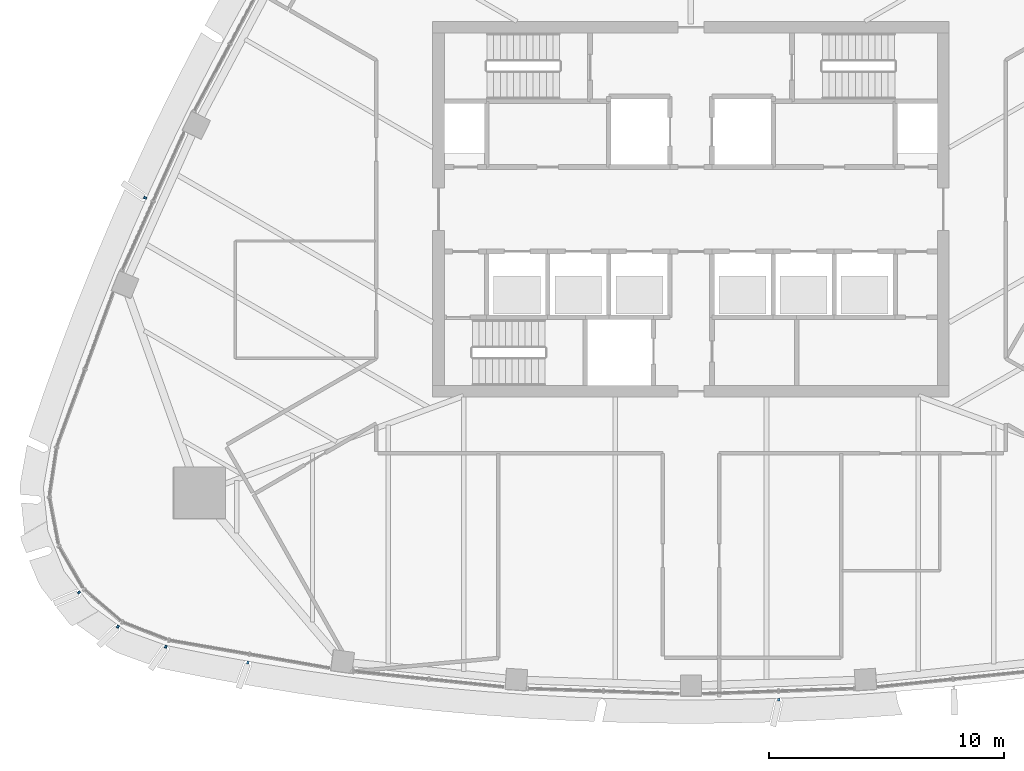
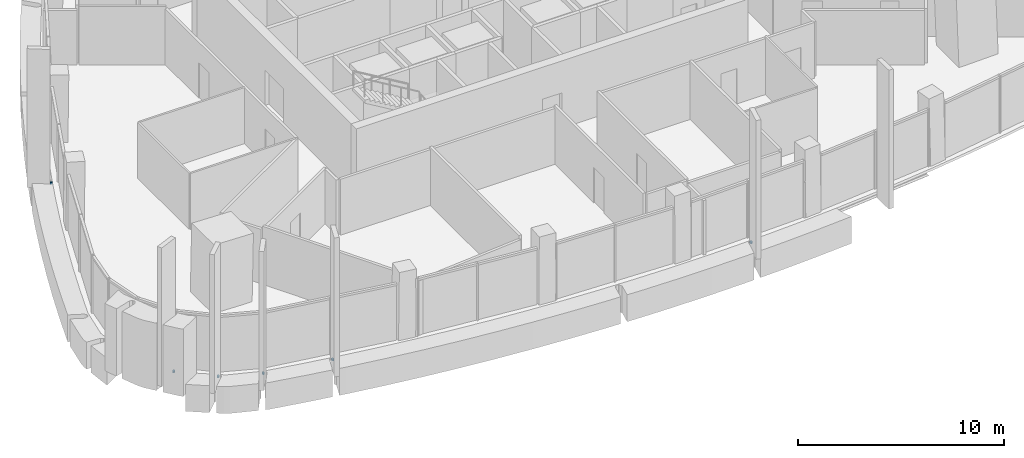
# One storey, part 12 of 18: 6 discrete accessories.
"""IFC4 building model written with IfcOpenShell, lengths in metres."""

import ifcopenshell
import ifcopenshell.guid

model = None  # the IFC model being written
_history = None  # IfcOwnerHistory: only IFC2X3 demands one
_inside = {}  # id of a spatial element -> (the spatial element, [elements in it])
_under = {}  # id of a project, library or spatial element -> (it, [spatial elements below it])
_declared = {}  # id of a project -> (the project, [libraries it declares])
_typed = {}  # id of a type object -> (the type object, [elements of that type])
_made_of = {}  # id of a material, layer set ... -> (it, [elements and type objects made of it])


def new_model(schema):
    """Start an empty IFC model of exactly this schema.

    Asked for "IFC4X3", IfcOpenShell would pick the latest addendum, in which some entities
    have other attributes; the version numbers below select the first issue.
    IFC2X3 requires an IfcOwnerHistory on every rooted entity: one is made here for all.
    """
    global model, _history
    if schema == "IFC4X3":
        model = ifcopenshell.file(schema_version=(4, 3, 0, 0))
    else:
        model = ifcopenshell.file(schema=schema)
    _inside.clear()
    _under.clear()
    _declared.clear()
    _typed.clear()
    _made_of.clear()
    _history = None
    if model.schema == "IFC2X3":
        org = make("IfcOrganization", Name="unknown")
        user = make(
            "IfcPersonAndOrganization",
            ThePerson=make("IfcPerson", FamilyName="unknown"),
            TheOrganization=org,
        )
        app = make(
            "IfcApplication",
            ApplicationDeveloper=org,
            Version="unknown",
            ApplicationFullName="unknown",
            ApplicationIdentifier="unknown",
        )
        _history = make(
            "IfcOwnerHistory",
            OwningUser=user,
            OwningApplication=app,
            ChangeAction="ADDED",
            CreationDate=0,
        )
    return model


def make(cls, **values):
    """One entity of the class cls with the attributes given. An attribute that is None is left unset."""
    return model.create_entity(
        cls, **{name: value for name, value in values.items() if value is not None}
    )


def rooted(cls, **values):
    """An entity with a GlobalId (a new one), such as an element, a storey or a relation."""
    return make(cls, GlobalId=ifcopenshell.guid.new(), OwnerHistory=_history, **values)


def si_unit(unit_type, name, prefix=None):
    """IfcSIUnit, for example si_unit("LENGTHUNIT", "METRE", prefix="MILLI")."""
    return make("IfcSIUnit", UnitType=unit_type, Prefix=prefix, Name=name)


def assignment(units):
    """IfcUnitAssignment: the units of a project."""
    return None if units is None else make("IfcUnitAssignment", Units=units)


def point(xyz):
    """IfcCartesianPoint."""
    return None if xyz is None else make("IfcCartesianPoint", Coordinates=xyz)


def direction(xyz):
    """IfcDirection."""
    return None if xyz is None else make("IfcDirection", DirectionRatios=xyz)


def frame(location, z_axis=None, x_axis=None):
    """IfcAxis2Placement3D, a coordinate frame: its origin and axes. An axis left out is left unset."""
    return make(
        "IfcAxis2Placement3D",
        Location=point(location),
        Axis=direction(z_axis),
        RefDirection=direction(x_axis),
    )


def frame_2d(location, x_axis=None):
    """IfcAxis2Placement2D, a coordinate frame in the plane: its origin and x axis."""
    return make(
        "IfcAxis2Placement2D", Location=point(location), RefDirection=direction(x_axis)
    )


def origin():
    """The frame at (0, 0, 0) with its axes left unset."""
    return frame((0.0, 0.0, 0.0))


def origin_2d():
    """The frame at (0, 0) in the plane with its x axis left unset."""
    return frame_2d((0.0, 0.0))


def place(relative_to, where):
    """IfcLocalPlacement: puts the frame where relative to a parent placement (None: the world)."""
    return make(
        "IfcLocalPlacement", PlacementRelTo=relative_to, RelativePlacement=where
    )


def context(
    kind, dimensions, precision=None, world=None, true_north=None, identifier=None
):
    """IfcGeometricRepresentationContext, for example the 3D "Model" context."""
    return make(
        "IfcGeometricRepresentationContext",
        ContextIdentifier=identifier,
        ContextType=kind,
        CoordinateSpaceDimension=dimensions,
        Precision=precision,
        WorldCoordinateSystem=world,
        TrueNorth=true_north,
    )


def subcontext(parent, identifier, kind, view, scale=None):
    """IfcGeometricRepresentationSubContext, for example "Body" below "Model"."""
    return make(
        "IfcGeometricRepresentationSubContext",
        ContextIdentifier=identifier,
        ContextType=kind,
        ParentContext=parent,
        TargetScale=scale,
        TargetView=view,
    )


def project(units=None, contexts=None):
    """IfcProject with its units and contexts."""
    return rooted(
        "IfcProject",
        Name="project",
        RepresentationContexts=contexts,
        UnitsInContext=assignment(units),
    )


def spatial(cls, under=None, at=None, **own):
    """A site, building, storey or space (cls), placed at a placement, below another one or the project."""
    s = rooted(cls, ObjectPlacement=at, **own)
    if under is not None:
        _under.setdefault(under.id(), (under, []))[1].append(s)
    return s


def profile(cls, at=None, kind="AREA", **sizes):
    """A parametric profile (cls). Its sizes go by their IFC names, for example OverallWidth=200.0."""
    return make(cls, ProfileType=kind, Position=at, **sizes)


def rectangle(**sizes):
    """IfcRectangleProfileDef."""
    return profile("IfcRectangleProfileDef", **sizes)


def extrude(swept, where, along, depth):
    """IfcExtrudedAreaSolid: the profile swept, set in the frame where, extruded along a direction by depth."""
    return make(
        "IfcExtrudedAreaSolid",
        SweptArea=swept,
        Position=where,
        ExtrudedDirection=direction(along),
        Depth=depth,
    )


def shape(context_of_items, identifier, shape_type, items):
    """IfcShapeRepresentation: the items that make up one representation, for example the "Body"."""
    return make(
        "IfcShapeRepresentation",
        ContextOfItems=context_of_items,
        RepresentationIdentifier=identifier,
        RepresentationType=shape_type,
        Items=items,
    )


def material(Name=None, Category=None):
    """IfcMaterial."""
    return make("IfcMaterial", Name=Name, Category=Category)


def made_of(thing, what):
    """Note that an element or type object is made of a material, layer set ...; save() writes the relation."""
    if what is not None:
        _made_of.setdefault(what.id(), (what, []))[1].append(thing)
    return thing


def type_object(cls, material=None, **own):
    """A type object (cls), such as IfcWallType, which elements share."""
    return made_of(rooted(cls, **own), material)


def element(
    cls,
    number,
    at=None,
    inside=None,
    cuts=None,
    type_object=None,
    material=None,
    context=None,
    identifier="Body",
    shape_type=None,
    held_by="IfcProductDefinitionShape",
    body=None,
    shapes=None,
    **own,
):
    """One element of the class cls, such as IfcWall. Its Tag is "e" and its number.

    at: its placement. inside: the storey or other place that contains it. cuts: it is an
    opening in that element (IfcRelVoidsElement). A single representation is given by context,
    identifier, shape_type and body (its items); several are given by shapes. held_by: the class
    of the entity that holds the representations. save() writes the other relations.
    """
    e = rooted(cls, Tag="e%d" % number, ObjectPlacement=at, **own)
    if body is not None:
        shapes = [shape(context, identifier, shape_type, body)]
    if shapes is not None:
        e.Representation = make(held_by, Representations=shapes)
    if inside is not None:
        _inside.setdefault(inside.id(), (inside, []))[1].append(e)
    if cuts is not None:
        rooted(
            "IfcRelVoidsElement", RelatingBuildingElement=cuts, RelatedOpeningElement=e
        )
    if type_object is not None:
        _typed.setdefault(type_object.id(), (type_object, []))[1].append(e)
    return made_of(e, material)


def aggregate(whole, parts):
    """IfcRelAggregates: a whole, such as a stair, and the parts it consists of."""
    return rooted("IfcRelAggregates", RelatingObject=whole, RelatedObjects=parts)


def save(model, path):
    """Write the relations noted so far, then the file.

    IfcRelAggregates (storeys below a building ...), IfcRelContainedInSpatialStructure (elements
    in a storey), IfcRelDefinesByType, IfcRelAssociatesMaterial and IfcRelDeclares: one each for
    every whole, place, type object, material and project.
    """
    for whole, parts in _under.values():
        aggregate(whole, parts)
    for where, things in _inside.values():
        rooted(
            "IfcRelContainedInSpatialStructure",
            RelatedElements=things,
            RelatingStructure=where,
        )
    for kind, things in _typed.values():
        rooted("IfcRelDefinesByType", RelatedObjects=things, RelatingType=kind)
    for what, things in _made_of.values():
        rooted("IfcRelAssociatesMaterial", RelatedObjects=things, RelatingMaterial=what)
    for by, libraries in _declared.values():
        rooted("IfcRelDeclares", RelatingContext=by, RelatedDefinitions=libraries)
    model.write(path)


model = new_model("IFC4")

# Units and contexts
model_context = context("Model", 3, precision=1e-05, world=origin(), true_north=direction((0.0, 1.0)))
body_context = subcontext(model_context, "Body", "Model", "MODEL_VIEW")
ifc_project = project(units=[si_unit("LENGTHUNIT", "METRE"), si_unit("AREAUNIT", "SQUARE_METRE"), si_unit("VOLUMEUNIT", "CUBIC_METRE"), si_unit("PLANEANGLEUNIT", "RADIAN"), si_unit("MASSUNIT", "GRAM", prefix="KILO")], contexts=[model_context])

# Site, building, storey
site_placement = place(None, origin())
site = spatial("IfcSite", under=ifc_project, at=site_placement, CompositionType="ELEMENT")
building_placement = place(site_placement, origin())
building = spatial("IfcBuilding", under=site, at=building_placement, Name="Sierra Prisma Convention Tower", CompositionType="ELEMENT")
storey_placement = place(building_placement, frame((0.0, 0.0, 279.0)))
storey = spatial("IfcBuildingStorey", under=building, at=storey_placement, Name="L63", CompositionType="ELEMENT", Elevation=279.0)

# Discrete accessories
ifc_material = material(Name="Stainless steel 316", Category="steel")
discrete_accessory_type = type_object("IfcDiscreteAccessoryType", Name="Fin bracket", PredefinedType="BRACKET", material=ifc_material)
for number, where, z_axis, x_axis, name in (
    (1, (-22.365234375, -18.631591796875, -0.135009765625), (0.0, 0.0, 1.0), (-0.339398693444, -0.940642613796, 0.0), "Fin bracket L63.1 base"),
    (2, (-18.86767578125, -19.307373046875, -0.135009765625), (0.0, 0.0, 1.0), (-0.178254058531, -0.983984497143, 0.0), "Fin bracket L63.2 base"),
    (3, (3.74072265625, -20.885986328125, -0.135009765625), (0.0, 0.0, 1.0), (0.035834687457, -0.999357731333, 0.0), "Fin bracket L63.11 base"),
    (4, (-23.245361328125, 0.48681640625, -0.135009765625), (0.0, 0.0, 1.0), (-0.914683699719, 0.404170421318, 0.0), "Fin bracket L63.58 base"),
    (5, (-26.0625, -16.3203125, -0.135009765625), (0.0, 0.0, 1.0), (-0.787667304095, -0.616100818097, 0.0), "Fin bracket L63.65 base"),
    (6, (-24.40576171875, -17.778076171875, -0.135009765625), (0.0, 0.0, 1.0), (-0.586430972053, -0.8099992068, 0.0), "Fin bracket L63.66 base"),
):
    element("IfcDiscreteAccessory", number, at=place(storey_placement, frame(where, z_axis=z_axis, x_axis=x_axis)), inside=storey, type_object=discrete_accessory_type, Name=name, PredefinedType="BRACKET", context=body_context, shape_type="SweptSolid", body=[
        extrude(rectangle(XDim=0.1201171875, YDim=0.10009765625, at=origin_2d()), origin(), (0.0, 0.0, 1.0), 0.1201171875),
    ])

save(model, "model.ifc")
